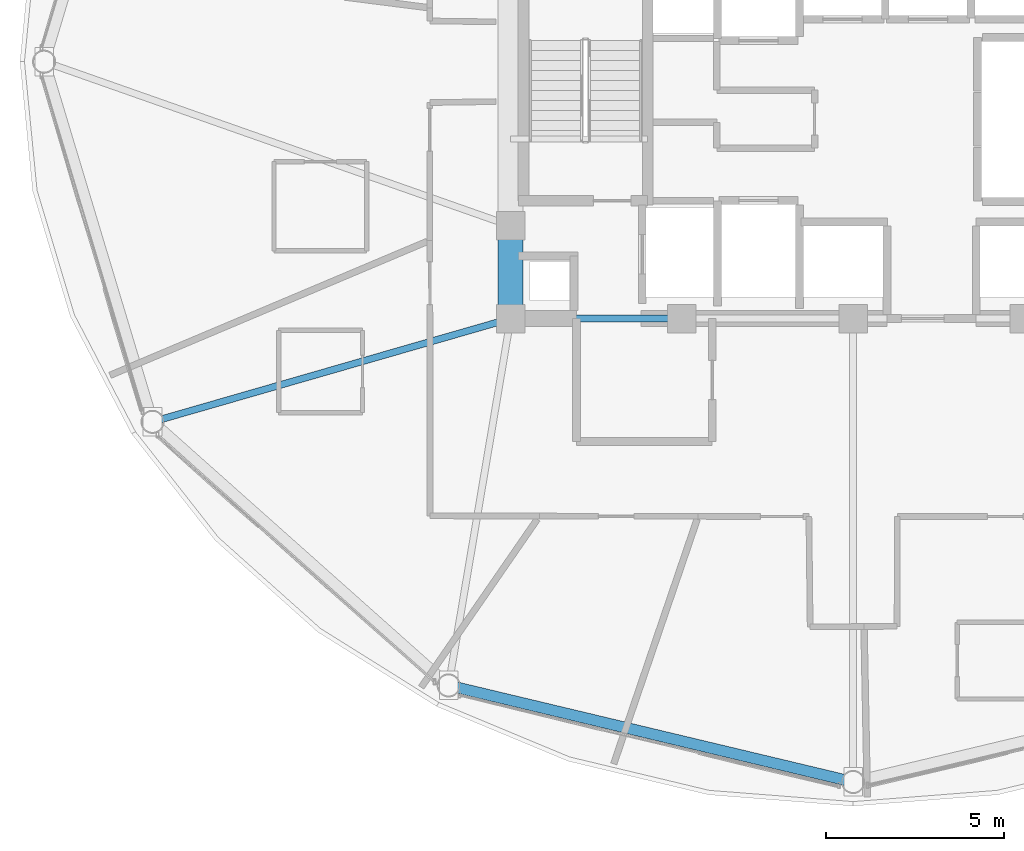
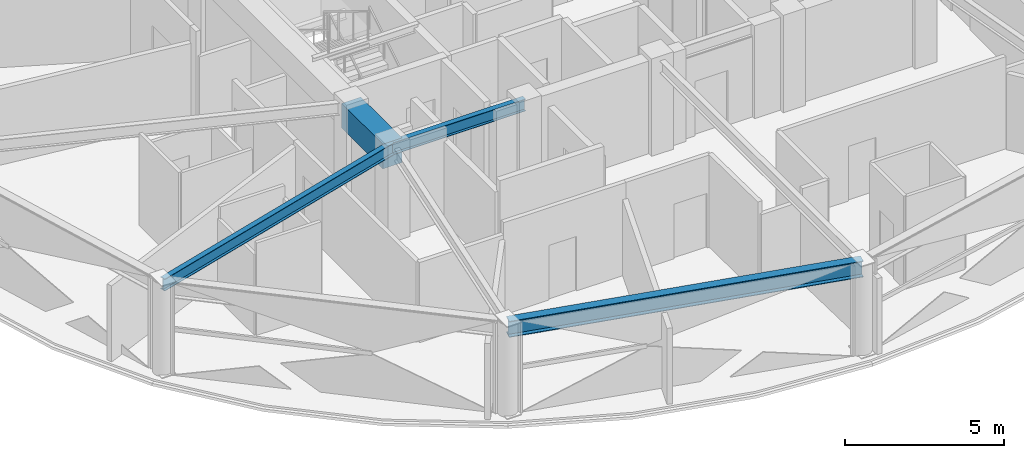
# One storey, part 4 of 30: 4 beams.
"""IFC4 building model written with IfcOpenShell, lengths in metres."""

import ifcopenshell
import ifcopenshell.guid

model = None  # the IFC model being written
_history = None  # IfcOwnerHistory: only IFC2X3 demands one
_inside = {}  # id of a spatial element -> (the spatial element, [elements in it])
_under = {}  # id of a project, library or spatial element -> (it, [spatial elements below it])
_declared = {}  # id of a project -> (the project, [libraries it declares])
_typed = {}  # id of a type object -> (the type object, [elements of that type])
_made_of = {}  # id of a material, layer set ... -> (it, [elements and type objects made of it])


def new_model(schema):
    """Start an empty IFC model of exactly this schema.

    Asked for "IFC4X3", IfcOpenShell would pick the latest addendum, in which some entities
    have other attributes; the version numbers below select the first issue.
    IFC2X3 requires an IfcOwnerHistory on every rooted entity: one is made here for all.
    """
    global model, _history
    if schema == "IFC4X3":
        model = ifcopenshell.file(schema_version=(4, 3, 0, 0))
    else:
        model = ifcopenshell.file(schema=schema)
    _inside.clear()
    _under.clear()
    _declared.clear()
    _typed.clear()
    _made_of.clear()
    _history = None
    if model.schema == "IFC2X3":
        org = make("IfcOrganization", Name="unknown")
        user = make(
            "IfcPersonAndOrganization",
            ThePerson=make("IfcPerson", FamilyName="unknown"),
            TheOrganization=org,
        )
        app = make(
            "IfcApplication",
            ApplicationDeveloper=org,
            Version="unknown",
            ApplicationFullName="unknown",
            ApplicationIdentifier="unknown",
        )
        _history = make(
            "IfcOwnerHistory",
            OwningUser=user,
            OwningApplication=app,
            ChangeAction="ADDED",
            CreationDate=0,
        )
    return model


def make(cls, **values):
    """One entity of the class cls with the attributes given. An attribute that is None is left unset."""
    return model.create_entity(
        cls, **{name: value for name, value in values.items() if value is not None}
    )


def rooted(cls, **values):
    """An entity with a GlobalId (a new one), such as an element, a storey or a relation."""
    return make(cls, GlobalId=ifcopenshell.guid.new(), OwnerHistory=_history, **values)


def si_unit(unit_type, name, prefix=None):
    """IfcSIUnit, for example si_unit("LENGTHUNIT", "METRE", prefix="MILLI")."""
    return make("IfcSIUnit", UnitType=unit_type, Prefix=prefix, Name=name)


def assignment(units):
    """IfcUnitAssignment: the units of a project."""
    return None if units is None else make("IfcUnitAssignment", Units=units)


def point(xyz):
    """IfcCartesianPoint."""
    return None if xyz is None else make("IfcCartesianPoint", Coordinates=xyz)


def direction(xyz):
    """IfcDirection."""
    return None if xyz is None else make("IfcDirection", DirectionRatios=xyz)


def frame(location, z_axis=None, x_axis=None):
    """IfcAxis2Placement3D, a coordinate frame: its origin and axes. An axis left out is left unset."""
    return make(
        "IfcAxis2Placement3D",
        Location=point(location),
        Axis=direction(z_axis),
        RefDirection=direction(x_axis),
    )


def frame_2d(location, x_axis=None):
    """IfcAxis2Placement2D, a coordinate frame in the plane: its origin and x axis."""
    return make(
        "IfcAxis2Placement2D", Location=point(location), RefDirection=direction(x_axis)
    )


def origin():
    """The frame at (0, 0, 0) with its axes left unset."""
    return frame((0.0, 0.0, 0.0))


def origin_2d():
    """The frame at (0, 0) in the plane with its x axis left unset."""
    return frame_2d((0.0, 0.0))


def place(relative_to, where):
    """IfcLocalPlacement: puts the frame where relative to a parent placement (None: the world)."""
    return make(
        "IfcLocalPlacement", PlacementRelTo=relative_to, RelativePlacement=where
    )


def context(
    kind, dimensions, precision=None, world=None, true_north=None, identifier=None
):
    """IfcGeometricRepresentationContext, for example the 3D "Model" context."""
    return make(
        "IfcGeometricRepresentationContext",
        ContextIdentifier=identifier,
        ContextType=kind,
        CoordinateSpaceDimension=dimensions,
        Precision=precision,
        WorldCoordinateSystem=world,
        TrueNorth=true_north,
    )


def subcontext(parent, identifier, kind, view, scale=None):
    """IfcGeometricRepresentationSubContext, for example "Body" below "Model"."""
    return make(
        "IfcGeometricRepresentationSubContext",
        ContextIdentifier=identifier,
        ContextType=kind,
        ParentContext=parent,
        TargetScale=scale,
        TargetView=view,
    )


def project(units=None, contexts=None):
    """IfcProject with its units and contexts."""
    return rooted(
        "IfcProject",
        Name="project",
        RepresentationContexts=contexts,
        UnitsInContext=assignment(units),
    )


def spatial(cls, under=None, at=None, **own):
    """A site, building, storey or space (cls), placed at a placement, below another one or the project."""
    s = rooted(cls, ObjectPlacement=at, **own)
    if under is not None:
        _under.setdefault(under.id(), (under, []))[1].append(s)
    return s


def profile(cls, at=None, kind="AREA", **sizes):
    """A parametric profile (cls). Its sizes go by their IFC names, for example OverallWidth=200.0."""
    return make(cls, ProfileType=kind, Position=at, **sizes)


def rectangle(**sizes):
    """IfcRectangleProfileDef."""
    return profile("IfcRectangleProfileDef", **sizes)


def i_section(**sizes):
    """IfcIShapeProfileDef."""
    return profile("IfcIShapeProfileDef", **sizes)


def extrude(swept, where, along, depth):
    """IfcExtrudedAreaSolid: the profile swept, set in the frame where, extruded along a direction by depth."""
    return make(
        "IfcExtrudedAreaSolid",
        SweptArea=swept,
        Position=where,
        ExtrudedDirection=direction(along),
        Depth=depth,
    )


def shape(context_of_items, identifier, shape_type, items):
    """IfcShapeRepresentation: the items that make up one representation, for example the "Body"."""
    return make(
        "IfcShapeRepresentation",
        ContextOfItems=context_of_items,
        RepresentationIdentifier=identifier,
        RepresentationType=shape_type,
        Items=items,
    )


def material(Name=None, Category=None):
    """IfcMaterial."""
    return make("IfcMaterial", Name=Name, Category=Category)


def material_profile(
    of_material, cross_section, Name=None, Category=None, Priority=None
):
    """IfcMaterialProfile: a cross section and its material."""
    return make(
        "IfcMaterialProfile",
        Name=Name,
        Material=of_material,
        Profile=cross_section,
        Priority=Priority,
        Category=Category,
    )


def profile_set(profiles, Name=None, composite=None):
    """IfcMaterialProfileSet."""
    return make(
        "IfcMaterialProfileSet",
        Name=Name,
        MaterialProfiles=profiles,
        CompositeProfile=composite,
    )


def made_of(thing, what):
    """Note that an element or type object is made of a material, layer set ...; save() writes the relation."""
    if what is not None:
        _made_of.setdefault(what.id(), (what, []))[1].append(thing)
    return thing


def type_object(cls, material=None, **own):
    """A type object (cls), such as IfcWallType, which elements share."""
    return made_of(rooted(cls, **own), material)


def element(
    cls,
    number,
    at=None,
    inside=None,
    cuts=None,
    type_object=None,
    material=None,
    context=None,
    identifier="Body",
    shape_type=None,
    held_by="IfcProductDefinitionShape",
    body=None,
    shapes=None,
    **own,
):
    """One element of the class cls, such as IfcWall. Its Tag is "e" and its number.

    at: its placement. inside: the storey or other place that contains it. cuts: it is an
    opening in that element (IfcRelVoidsElement). A single representation is given by context,
    identifier, shape_type and body (its items); several are given by shapes. held_by: the class
    of the entity that holds the representations. save() writes the other relations.
    """
    e = rooted(cls, Tag="e%d" % number, ObjectPlacement=at, **own)
    if body is not None:
        shapes = [shape(context, identifier, shape_type, body)]
    if shapes is not None:
        e.Representation = make(held_by, Representations=shapes)
    if inside is not None:
        _inside.setdefault(inside.id(), (inside, []))[1].append(e)
    if cuts is not None:
        rooted(
            "IfcRelVoidsElement", RelatingBuildingElement=cuts, RelatedOpeningElement=e
        )
    if type_object is not None:
        _typed.setdefault(type_object.id(), (type_object, []))[1].append(e)
    return made_of(e, material)


def aggregate(whole, parts):
    """IfcRelAggregates: a whole, such as a stair, and the parts it consists of."""
    return rooted("IfcRelAggregates", RelatingObject=whole, RelatedObjects=parts)


def save(model, path):
    """Write the relations noted so far, then the file.

    IfcRelAggregates (storeys below a building ...), IfcRelContainedInSpatialStructure (elements
    in a storey), IfcRelDefinesByType, IfcRelAssociatesMaterial and IfcRelDeclares: one each for
    every whole, place, type object, material and project.
    """
    for whole, parts in _under.values():
        aggregate(whole, parts)
    for where, things in _inside.values():
        rooted(
            "IfcRelContainedInSpatialStructure",
            RelatedElements=things,
            RelatingStructure=where,
        )
    for kind, things in _typed.values():
        rooted("IfcRelDefinesByType", RelatedObjects=things, RelatingType=kind)
    for what, things in _made_of.values():
        rooted("IfcRelAssociatesMaterial", RelatedObjects=things, RelatingMaterial=what)
    for by, libraries in _declared.values():
        rooted("IfcRelDeclares", RelatingContext=by, RelatedDefinitions=libraries)
    model.write(path)


model = new_model("IFC4")

# Units and contexts
model_context = context("Model", 3, precision=1e-05, world=origin(), true_north=direction((0.0, 1.0)))
body_context = subcontext(model_context, "Body", "Model", "MODEL_VIEW")
ifc_project = project(units=[si_unit("LENGTHUNIT", "METRE"), si_unit("AREAUNIT", "SQUARE_METRE"), si_unit("VOLUMEUNIT", "CUBIC_METRE"), si_unit("PLANEANGLEUNIT", "RADIAN"), si_unit("MASSUNIT", "GRAM", prefix="KILO")], contexts=[model_context])

# Site, building, storey
site_placement = place(None, origin())
site = spatial("IfcSite", under=ifc_project, at=site_placement, CompositionType="ELEMENT")
building_placement = place(site_placement, origin())
building = spatial("IfcBuilding", under=site, at=building_placement, Name="Vantalir Tower", CompositionType="ELEMENT")
storey_placement = place(building_placement, frame((0.0, 0.0, 186.14990234375)))
storey = spatial("IfcBuildingStorey", under=building, at=storey_placement, Name="L46", CompositionType="ELEMENT", Elevation=186.14990234375)

# Beams
ifc_material_1 = material(Name="Concrete C60/75", Category="concrete")
ifc_material_profile_1 = material_profile(ifc_material_1, rectangle(XDim=0.699951171875, YDim=0.949951171875, at=origin_2d()), Name="Concrete C60/75")
ifc_profile_set_1 = profile_set([ifc_material_profile_1], Name="Concrete C60/75")
beam_type_1 = type_object("IfcBeamType", Name="BM-CB-700x950", PredefinedType="USERDEFINED", material=ifc_profile_set_1)
beam_1_placement = place(storey_placement, frame((21.89990234375, 20.39990234375, 3.09521484375), z_axis=(0.0, -1.0, 0.0), x_axis=(1.0, 0.0, 0.0)))
element("IfcBeam", 1, at=beam_1_placement, inside=storey, type_object=beam_type_1, Name="L46 Core Coupling Girder 14", ObjectType="GIRDER", PredefinedType="USERDEFINED", context=body_context, shape_type="SweptSolid", body=[
    extrude(rectangle(XDim=0.699951171875, YDim=0.949951171875, at=origin_2d()), origin(), (0.0, 0.0, 1.0), 2.599853515625),
])
ifc_material_2 = material(Name="Steel S355", Category="steel")
ifc_material_profile_2 = material_profile(ifc_material_2, i_section(OverallWidth=0.19189453125, OverallDepth=0.462890625, WebThickness=0.010498046875, FlangeThickness=0.017578125, at=origin_2d()), Name="Steel S355")
ifc_profile_set_2 = profile_set([ifc_material_profile_2], Name="Steel S355")
beam_type_2 = type_object("IfcBeamType", Name="BM-RB-457x191", PredefinedType="BEAM", material=ifc_profile_set_2)
beam_2_placement = place(storey_placement, frame((21.89990234375, 17.800048828125, 3.338134765625), z_axis=(1.0, 0.0, 0.0), x_axis=(0.0, 1.0, 0.0)))
element("IfcBeam", 2, at=beam_2_placement, inside=storey, type_object=beam_type_2, Name="L46 Core Coupling Girder 01", PredefinedType="BEAM", context=body_context, shape_type="SweptSolid", body=[
    extrude(i_section(OverallWidth=0.19189453125, OverallDepth=0.462890625, WebThickness=0.010498046875, FlangeThickness=0.017578125, at=origin_2d()), origin(), (0.0, 0.0, 1.0), 4.800048828125),
])
beam_3_placement = place(storey_placement, frame((11.862060546875, 14.906005859375, 3.338134765625), z_axis=(0.960861521684, 0.277029125089, 0.0), x_axis=(-0.277029125089, 0.960861521684, 0.0)))
element("IfcBeam", 3, at=beam_3_placement, inside=storey, type_object=beam_type_2, Name="L46 Radial Floor Beam 08", PredefinedType="BEAM", context=body_context, shape_type="SweptSolid", body=[
    extrude(i_section(OverallWidth=0.19189453125, OverallDepth=0.462890625, WebThickness=0.010498046875, FlangeThickness=0.017578125, at=origin_2d()), origin(), (0.0, 0.0, 1.0), 10.44677734375),
])
ifc_material_3 = material(Name="Steel S460", Category="steel")
ifc_material_profile_3 = material_profile(ifc_material_3, i_section(OverallWidth=0.306884765625, OverallDepth=0.6201171875, WebThickness=0.01416015625, FlangeThickness=0.023681640625, at=origin_2d()), Name="Steel S460")
ifc_profile_set_3 = profile_set([ifc_material_profile_3], Name="Steel S460")
beam_type_3 = type_object("IfcBeamType", Name="BM-RG-610x305", PredefinedType="USERDEFINED", material=ifc_profile_set_3)
beam_4_placement = place(storey_placement, frame((20.162109375, 7.51708984375, 3.260009765625), z_axis=(0.972698236559, -0.232073567206, 0.0), x_axis=(0.232073567206, 0.972698236559, 0.0)))
element("IfcBeam", 4, at=beam_4_placement, inside=storey, type_object=beam_type_3, Name="L46 Circumferential Ring Girder 09", ObjectType="GIRDER", PredefinedType="USERDEFINED", context=body_context, shape_type="SweptSolid", body=[
    extrude(i_section(OverallWidth=0.306884765625, OverallDepth=0.6201171875, WebThickness=0.01416015625, FlangeThickness=0.023681640625, at=origin_2d()), origin(), (0.0, 0.0, 1.0), 11.656005859375),
])

save(model, "model.ifc")
